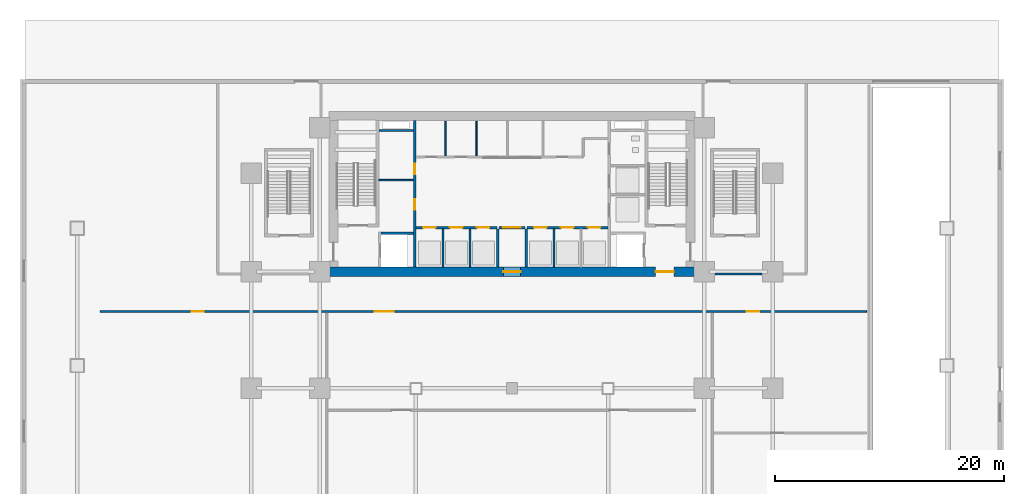
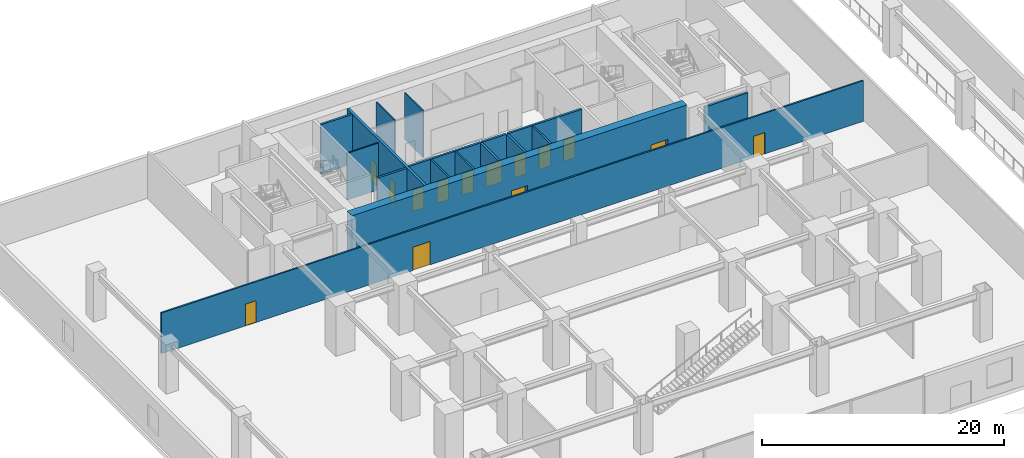
# One storey, part 9 of 18: 17 walls, 14 doors, 14 openings.
"""IFC4 building model written with IfcOpenShell, lengths in metres."""

from ifc_helpers import new_model, si_unit, direction, frame, frame_2d, origin, place, context, subcontext, project, spatial, rectangle, extrude, source, transform, mapped, material, layer, layer_set, type_object, element, fill, save


model = new_model("IFC4")

# Units and contexts
model_context = context("Model", 3, precision=1e-05, world=origin(), true_north=direction((0.0, 1.0)))
body_context = subcontext(model_context, "Body", "Model", "MODEL_VIEW")
ifc_project = project(units=[si_unit("LENGTHUNIT", "METRE"), si_unit("AREAUNIT", "SQUARE_METRE"), si_unit("VOLUMEUNIT", "CUBIC_METRE"), si_unit("PLANEANGLEUNIT", "RADIAN"), si_unit("MASSUNIT", "GRAM", prefix="KILO")], contexts=[model_context])

# Site, building, storey
site_placement = place(None, origin())
site = spatial("IfcSite", under=ifc_project, at=site_placement, CompositionType="ELEMENT")
building_placement = place(site_placement, origin())
building = spatial("IfcBuilding", under=site, at=building_placement, Name="Sumidabori Civic Tower", CompositionType="ELEMENT")
storey_placement = place(building_placement, origin())
storey = spatial("IfcBuildingStorey", under=building, at=storey_placement, Name="L00", CompositionType="ELEMENT", Elevation=0.0)

# Wall, openings, doors
ifc_material_1 = material(Name="Concrete C60/75", Category="concrete")
ifc_layer_1 = layer(ifc_material_1, 0.800048828125, Name="Concrete C60/75")
ifc_layer_set_1 = layer_set([ifc_layer_1], Name="Concrete C60/75")
wall_type_1 = type_object("IfcWallType", Name="WL-CORE-800", PredefinedType="SHEAR", material=ifc_layer_set_1)
shared_shape_1 = source(origin(), body_context, "Body", "SweptSolid", [
    extrude(rectangle(XDim=32.0, YDim=0.800048828125, at=frame_2d((16.0, 0.0))), origin(), (0.0, 0.0, 1.0), 5.0),
])
wall_1_placement = place(storey_placement, frame((-16.0, 10.199951171875, 0.0), z_axis=(0.0, 0.0, 1.0), x_axis=(1.0, 0.0, 0.0)))
wall_1 = element("IfcWall", 1, at=wall_1_placement, inside=storey, type_object=wall_type_1, Name="Core Shear Wall L00 S", PredefinedType="SHEAR", context=body_context, shape_type="MappedRepresentation", body=[
    mapped(shared_shape_1, transform((0.0, 0.0, 0.0), x_axis=(1.0, 0.0, 0.0), y_axis=(0.0, 1.0, 0.0), z_axis=(0.0, 0.0, 1.0), scale=1.0)),
])
opening_1_placement = place(wall_1_placement, frame((28.550048828125, 0.0, 0.0)))
opening_1 = element("IfcOpeningElement", 2, at=opening_1_placement, cuts=wall_1, Name="Opening DR-FD4", PredefinedType="OPENING", context=body_context, shape_type="SweptSolid", body=[
    extrude(rectangle(XDim=1.60009765625, YDim=2.14990234375, at=frame_2d((0.800048828125, 1.074951171875))), frame((0.0, 0.412109375, 0.0), z_axis=(0.0, -1.0, 0.0), x_axis=(1.0, 0.0, 0.0)), (0.0, 0.0, 1.0), 0.823974609375),
])
opening_2_placement = place(wall_1_placement, frame((15.25, 0.0, 0.0)))
opening_2 = element("IfcOpeningElement", 3, at=opening_2_placement, cuts=wall_1, Name="Opening DR-FD3", PredefinedType="OPENING", context=body_context, shape_type="SweptSolid", body=[
    extrude(rectangle(XDim=1.5, YDim=2.199951171875, at=frame_2d((0.75, 1.10009765625))), frame((0.0, 0.412109375, 0.0), z_axis=(0.0, -1.0, 0.0), x_axis=(1.0, 0.0, 0.0)), (0.0, 0.0, 1.0), 0.823974609375),
])
ifc_material_2 = material(Name="Steel SN490", Category="steel")
door_type_1 = type_object("IfcDoorType", Name="DR-FD4", OperationType="DOUBLE_DOOR_SINGLE_SWING", PredefinedType="DOOR", material=ifc_material_2)
shared_shape_2 = source(origin(), body_context, "Body", "SweptSolid", [
    extrude(rectangle(XDim=1.60009765625, YDim=2.14990234375, at=frame_2d((0.800048828125, 1.074951171875))), frame((0.0, 0.02490234375, 0.0), z_axis=(0.0, -1.0, 0.0), x_axis=(1.0, 0.0, 0.0)), (0.0, 0.0, 1.0), 0.050048828125),
])
door_1_placement = place(opening_1_placement, origin())
door_1 = element("IfcDoor", 4, at=door_1_placement, inside=storey, type_object=door_type_1, Name="Door DR:L00:ELOB-E", OperationType="DOUBLE_DOOR_SINGLE_SWING", OverallHeight=2.14990234375, OverallWidth=1.60009765625, PredefinedType="DOOR", context=body_context, shape_type="MappedRepresentation", body=[
    mapped(shared_shape_2, transform((0.0, 0.0, 0.0), x_axis=(1.0, 0.0, 0.0), y_axis=(0.0, 1.0, 0.0), z_axis=(0.0, 0.0, 1.0), scale=1.0)),
])
fill(opening_1, door_1)
door_type_2 = type_object("IfcDoorType", Name="DR-FD-DBL", OperationType="DOUBLE_DOOR_SINGLE_SWING", PredefinedType="DOOR", material=ifc_material_2)
shared_shape_3 = source(origin(), body_context, "Body", "SweptSolid", [
    extrude(rectangle(XDim=1.5, YDim=2.199951171875, at=frame_2d((0.75, 1.10009765625))), frame((0.0, 0.02490234375, 0.0), z_axis=(0.0, -1.0, 0.0), x_axis=(1.0, 0.0, 0.0)), (0.0, 0.0, 1.0), 0.050048828125),
])
door_2_placement = place(opening_2_placement, origin())
door_2 = element("IfcDoor", 5, at=door_2_placement, inside=storey, type_object=door_type_2, Name="Door DR:L00:THROAT-OUT", OperationType="DOUBLE_DOOR_SINGLE_SWING", OverallHeight=2.199951171875, OverallWidth=1.5, PredefinedType="DOOR", context=body_context, shape_type="MappedRepresentation", body=[
    mapped(shared_shape_3, transform((0.0, 0.0, 0.0), x_axis=(1.0, 0.0, 0.0), y_axis=(0.0, 1.0, 0.0), z_axis=(0.0, 0.0, 1.0), scale=1.0)),
])
fill(opening_2, door_2)

ifc_material_3 = material(Name="Concrete C50/60", Category="concrete")
ifc_layer_2 = layer(ifc_material_3, 0.25, Name="Concrete C50/60")
ifc_layer_set_2 = layer_set([ifc_layer_2], Name="Concrete C50/60")
wall_type_2 = type_object("IfcWallType", Name="WL-SHAFT-250", PredefinedType="SHEAR", material=ifc_layer_set_2)
shared_shape_4 = source(origin(), body_context, "Body", "SweptSolid", [
    extrude(rectangle(XDim=12.7998046875, YDim=0.25, at=frame_2d((6.39990234375, 0.0))), origin(), (0.0, 0.0, 1.0), 5.0),
])
wall_2_placement = place(storey_placement, frame((-8.5, 10.60009765625, 0.0), z_axis=(0.0, 0.0, 1.0), x_axis=(0.0, 1.0, 0.0)))
wall_2 = element("IfcWall", 6, at=wall_2_placement, inside=storey, type_object=wall_type_2, Name="Core Shear Wall L00 WEB-W", PredefinedType="SHEAR", context=body_context, shape_type="MappedRepresentation", body=[
    mapped(shared_shape_4, transform((0.0, 0.0, 0.0), x_axis=(1.0, 0.0, 0.0), y_axis=(0.0, 1.0, 0.0), z_axis=(0.0, 0.0, 1.0), scale=1.0)),
])
opening_3_placement = place(wall_2_placement, frame((5.0, 0.0, 0.0)))
opening_3 = element("IfcOpeningElement", 7, at=opening_3_placement, cuts=wall_2, Name="Opening DR-FD2", PredefinedType="OPENING", context=body_context, shape_type="SweptSolid", body=[
    extrude(rectangle(XDim=0.949951171875, YDim=2.14990234375, at=frame_2d((0.47509765625, 1.074951171875))), frame((0.0, 0.136962890625, 0.0), z_axis=(0.0, -1.0, 0.0), x_axis=(1.0, 0.0, 0.0)), (0.0, 0.0, 1.0), 0.27392578125),
])
opening_4_placement = place(wall_2_placement, frame((8.10009765625, 0.0, 0.0)))
opening_4 = element("IfcOpeningElement", 8, at=opening_4_placement, cuts=wall_2, Name="Opening DR-FD2", PredefinedType="OPENING", context=body_context, shape_type="SweptSolid", body=[
    extrude(rectangle(XDim=0.949951171875, YDim=2.14990234375, at=frame_2d((0.47509765625, 1.074951171875))), frame((0.0, 0.136962890625, 0.0), z_axis=(0.0, -1.0, 0.0), x_axis=(1.0, 0.0, 0.0)), (0.0, 0.0, 1.0), 0.27392578125),
])
door_type_3 = type_object("IfcDoorType", Name="DR-FD2", OperationType="NOTDEFINED", PredefinedType="DOOR", material=ifc_material_2)
shared_shape_5 = source(origin(), body_context, "Body", "SweptSolid", [
    extrude(rectangle(XDim=0.949951171875, YDim=2.14990234375, at=frame_2d((0.47509765625, 1.074951171875))), frame((0.0, 0.02490234375, 0.0), z_axis=(0.0, -1.0, 0.0), x_axis=(1.0, 0.0, 0.0)), (0.0, 0.0, 1.0), 0.050048828125),
])
door_3_placement = place(opening_3_placement, origin())
door_3 = element("IfcDoor", 9, at=door_3_placement, inside=storey, type_object=door_type_3, Name="Door DR:L00:CW-S1", OperationType="SINGLE_SWING_LEFT", OverallHeight=2.14990234375, OverallWidth=0.949951171875, PredefinedType="DOOR", context=body_context, shape_type="MappedRepresentation", body=[
    mapped(shared_shape_5, transform((0.0, 0.0, 0.0), x_axis=(1.0, 0.0, 0.0), y_axis=(0.0, 1.0, 0.0), z_axis=(0.0, 0.0, 1.0), scale=1.0)),
])
fill(opening_3, door_3)
door_4_placement = place(opening_4_placement, origin())
door_4 = element("IfcDoor", 10, at=door_4_placement, inside=storey, type_object=door_type_3, Name="Door DR:L00:CW-S2", OperationType="SINGLE_SWING_RIGHT", OverallHeight=2.14990234375, OverallWidth=0.949951171875, PredefinedType="DOOR", context=body_context, shape_type="MappedRepresentation", body=[
    mapped(shared_shape_5, transform((0.0, 0.0, 0.0), x_axis=(1.0, 0.0, 0.0), y_axis=(0.0, 1.0, 0.0), z_axis=(0.0, 0.0, 1.0), scale=1.0)),
])
fill(opening_4, door_4)

# Walls
ifc_layer_3 = layer(ifc_material_3, 0.199951171875, Name="Concrete C50/60")
ifc_layer_set_3 = layer_set([ifc_layer_3], Name="Concrete C50/60")
wall_type_3 = type_object("IfcWallType", Name="WL-SHAFT-200", PredefinedType="SHEAR", material=ifc_layer_set_3)
shared_shape_6 = source(origin(), body_context, "Body", "SweptSolid", [
    extrude(rectangle(XDim=2.824951171875, YDim=0.199951171875, at=frame_2d((1.41259765625, 0.0))), origin(), (0.0, 0.0, 1.0), 5.0),
])
wall_3_placement = place(storey_placement, frame((-11.449951171875, 13.550048828125, 0.0), z_axis=(0.0, 0.0, 1.0), x_axis=(1.0, 0.0, 0.0)))
element("IfcWall", 11, at=wall_3_placement, inside=storey, type_object=wall_type_3, Name="Core Shear Wall L00 EL1-N", PredefinedType="SHEAR", context=body_context, shape_type="MappedRepresentation", body=[
    mapped(shared_shape_6, transform((0.0, 0.0, 0.0), x_axis=(1.0, 0.0, 0.0), y_axis=(0.0, 1.0, 0.0), z_axis=(0.0, 0.0, 1.0), scale=1.0)),
])
shared_shape_7 = source(origin(), body_context, "Body", "SweptSolid", [
    extrude(rectangle(XDim=3.02001953125, YDim=0.199951171875, at=frame_2d((1.510009765625, 0.0))), origin(), (0.0, 0.0, 1.0), 5.0),
])
wall_4_placement = place(storey_placement, frame((-11.64501953125, 22.550048828125, 0.0), z_axis=(0.0, 0.0, 1.0), x_axis=(1.0, 0.0, 0.0)))
element("IfcWall", 12, at=wall_4_placement, inside=storey, type_object=wall_type_3, Name="Core Shear Wall L00 RIS1-S", PredefinedType="SHEAR", context=body_context, shape_type="MappedRepresentation", body=[
    mapped(shared_shape_7, transform((0.0, 0.0, 0.0), x_axis=(1.0, 0.0, 0.0), y_axis=(0.0, 1.0, 0.0), z_axis=(0.0, 0.0, 1.0), scale=1.0)),
])
ifc_material_4 = material(Name="Gypsum Plasterboard Acoustic Partition")
ifc_layer_4 = layer(ifc_material_4, 0.1201171875, Name="Gypsum Plasterboard Acoustic Partition")
ifc_layer_set_4 = layer_set([ifc_layer_4], Name="Gypsum Plasterboard Acoustic Partition")
wall_type_4 = type_object("IfcWallType", Name="WL-PART-120", PredefinedType="PARTITIONING", material=ifc_layer_set_4)
shared_shape_8 = source(origin(), body_context, "Body", "SweptSolid", [
    extrude(rectangle(XDim=3.010009765625, YDim=0.1201171875, at=frame_2d((1.5048828125, 0.0))), origin(), (0.0, 0.0, 1.0), 4.719970703125),
])
wall_5_placement = place(storey_placement, frame((-11.639892578125, 18.199951171875, 0.0), z_axis=(0.0, 0.0, 1.0), x_axis=(1.0, 0.0, 0.0)))
element("IfcWall", 13, at=wall_5_placement, inside=storey, type_object=wall_type_4, Name="Interior Partition WL:L00:CW-MID", PredefinedType="PARTITIONING", context=body_context, shape_type="MappedRepresentation", body=[
    mapped(shared_shape_8, transform((0.0, 0.0, 0.0), x_axis=(1.0, 0.0, 0.0), y_axis=(0.0, 1.0, 0.0), z_axis=(0.0, 0.0, 1.0), scale=1.0)),
])

# Wall, openings, doors
ifc_material_5 = material(Name="Gypsum Plasterboard Fire Partition")
ifc_layer_5 = layer(ifc_material_5, 0.199951171875, Name="Gypsum Plasterboard Fire Partition")
ifc_layer_set_5 = layer_set([ifc_layer_5], Name="Gypsum Plasterboard Fire Partition")
wall_type_5 = type_object("IfcWallType", Name="WL-PART-FIRE", PredefinedType="PARTITIONING", material=ifc_layer_set_5)
shared_shape_9 = source(origin(), body_context, "Body", "SweptSolid", [
    extrude(rectangle(XDim=7.070068359375, YDim=0.199951171875, at=frame_2d((3.53515625, 0.0))), origin(), (0.0, 0.0, 1.0), 4.719970703125),
])
wall_6_placement = place(storey_placement, frame((-8.3701171875, 14.050048828125, 0.0), z_axis=(0.0, 0.0, 1.0), x_axis=(1.0, 0.0, 0.0)))
wall_6 = element("IfcWall", 14, at=wall_6_placement, inside=storey, type_object=wall_type_5, Name="Interior Partition WL:L00:CBAND-SW", PredefinedType="PARTITIONING", context=body_context, shape_type="MappedRepresentation", body=[
    mapped(shared_shape_9, transform((0.0, 0.0, 0.0), x_axis=(1.0, 0.0, 0.0), y_axis=(0.0, 1.0, 0.0), z_axis=(0.0, 0.0, 1.0), scale=1.0)),
])
opening_5_placement = place(wall_6_placement, frame((0.60009765625, 0.0, 0.0)))
opening_5 = element("IfcOpeningElement", 15, at=opening_5_placement, cuts=wall_6, Name="Opening LD-1", PredefinedType="OPENING", context=body_context, shape_type="SweptSolid", body=[
    extrude(rectangle(XDim=1.10009765625, YDim=2.14990234375, at=frame_2d((0.550048828125, 1.074951171875))), frame((0.0, 0.11181640625, 0.0), z_axis=(0.0, -1.0, 0.0), x_axis=(1.0, 0.0, 0.0)), (0.0, 0.0, 1.0), 0.223876953125),
])
opening_6_placement = place(wall_6_placement, frame((2.949951171875, 0.0, 0.0)))
opening_6 = element("IfcOpeningElement", 16, at=opening_6_placement, cuts=wall_6, Name="Opening LD-1", PredefinedType="OPENING", context=body_context, shape_type="SweptSolid", body=[
    extrude(rectangle(XDim=1.10009765625, YDim=2.14990234375, at=frame_2d((0.550048828125, 1.074951171875))), frame((0.0, 0.11181640625, 0.0), z_axis=(0.0, -1.0, 0.0), x_axis=(1.0, 0.0, 0.0)), (0.0, 0.0, 1.0), 0.223876953125),
])
opening_7_placement = place(wall_6_placement, frame((5.300048828125, 0.0, 0.0)))
opening_7 = element("IfcOpeningElement", 17, at=opening_7_placement, cuts=wall_6, Name="Opening LD-1", PredefinedType="OPENING", context=body_context, shape_type="SweptSolid", body=[
    extrude(rectangle(XDim=1.10009765625, YDim=2.14990234375, at=frame_2d((0.550048828125, 1.074951171875))), frame((0.0, 0.11181640625, 0.0), z_axis=(0.0, -1.0, 0.0), x_axis=(1.0, 0.0, 0.0)), (0.0, 0.0, 1.0), 0.223876953125),
])
ifc_material_6 = material(Name="Stainless Steel Hairline Finish", Category="steel")
door_type_4 = type_object("IfcDoorType", Name="DR-LD1", OperationType="DOUBLE_DOOR_SLIDING", PredefinedType="DOOR", material=ifc_material_6)
shared_shape_10 = source(origin(), body_context, "Body", "SweptSolid", [
    extrude(rectangle(XDim=1.10009765625, YDim=2.14990234375, at=frame_2d((0.550048828125, 1.074951171875))), frame((0.0, 0.02490234375, 0.0), z_axis=(0.0, -1.0, 0.0), x_axis=(1.0, 0.0, 0.0)), (0.0, 0.0, 1.0), 0.050048828125),
])
door_5_placement = place(opening_5_placement, origin())
door_5 = element("IfcDoor", 18, at=door_5_placement, inside=storey, type_object=door_type_4, Name="Door DR:L00:LD-PLL1", OperationType="DOUBLE_DOOR_SLIDING", OverallHeight=2.14990234375, OverallWidth=1.10009765625, PredefinedType="DOOR", context=body_context, shape_type="MappedRepresentation", body=[
    mapped(shared_shape_10, transform((0.0, 0.0, 0.0), x_axis=(1.0, 0.0, 0.0), y_axis=(0.0, 1.0, 0.0), z_axis=(0.0, 0.0, 1.0), scale=1.0)),
])
fill(opening_5, door_5)
door_6_placement = place(opening_6_placement, origin())
door_6 = element("IfcDoor", 19, at=door_6_placement, inside=storey, type_object=door_type_4, Name="Door DR:L00:LD-PLL2", OperationType="DOUBLE_DOOR_SLIDING", OverallHeight=2.14990234375, OverallWidth=1.10009765625, PredefinedType="DOOR", context=body_context, shape_type="MappedRepresentation", body=[
    mapped(shared_shape_10, transform((0.0, 0.0, 0.0), x_axis=(1.0, 0.0, 0.0), y_axis=(0.0, 1.0, 0.0), z_axis=(0.0, 0.0, 1.0), scale=1.0)),
])
fill(opening_6, door_6)
door_7_placement = place(opening_7_placement, origin())
door_7 = element("IfcDoor", 20, at=door_7_placement, inside=storey, type_object=door_type_4, Name="Door DR:L00:LD-PLL3", OperationType="DOUBLE_DOOR_SLIDING", OverallHeight=2.14990234375, OverallWidth=1.10009765625, PredefinedType="DOOR", context=body_context, shape_type="MappedRepresentation", body=[
    mapped(shared_shape_10, transform((0.0, 0.0, 0.0), x_axis=(1.0, 0.0, 0.0), y_axis=(0.0, 1.0, 0.0), z_axis=(0.0, 0.0, 1.0), scale=1.0)),
])
fill(opening_7, door_7)

wall_7_placement = place(storey_placement, frame((1.300048828125, 14.050048828125, 0.0), z_axis=(0.0, 0.0, 1.0), x_axis=(1.0, 0.0, 0.0)))
wall_7 = element("IfcWall", 21, at=wall_7_placement, inside=storey, type_object=wall_type_5, Name="Interior Partition WL:L00:CBAND-SE", PredefinedType="PARTITIONING", context=body_context, shape_type="MappedRepresentation", body=[
    mapped(shared_shape_9, transform((0.0, 0.0, 0.0), x_axis=(1.0, 0.0, 0.0), y_axis=(0.0, 1.0, 0.0), z_axis=(0.0, 0.0, 1.0), scale=1.0)),
])
opening_8_placement = place(wall_7_placement, frame((0.6298828125, 0.0, 0.0)))
opening_8 = element("IfcOpeningElement", 22, at=opening_8_placement, cuts=wall_7, Name="Opening LD-1", PredefinedType="OPENING", context=body_context, shape_type="SweptSolid", body=[
    extrude(rectangle(XDim=1.10009765625, YDim=2.14990234375, at=frame_2d((0.550048828125, 1.074951171875))), frame((0.0, 0.11181640625, 0.0), z_axis=(0.0, -1.0, 0.0), x_axis=(1.0, 0.0, 0.0)), (0.0, 0.0, 1.0), 0.223876953125),
])
opening_9_placement = place(wall_7_placement, frame((2.97998046875, 0.0, 0.0)))
opening_9 = element("IfcOpeningElement", 23, at=opening_9_placement, cuts=wall_7, Name="Opening LD-1", PredefinedType="OPENING", context=body_context, shape_type="SweptSolid", body=[
    extrude(rectangle(XDim=1.10009765625, YDim=2.14990234375, at=frame_2d((0.550048828125, 1.074951171875))), frame((0.0, 0.11181640625, 0.0), z_axis=(0.0, -1.0, 0.0), x_axis=(1.0, 0.0, 0.0)), (0.0, 0.0, 1.0), 0.223876953125),
])
opening_10_placement = place(wall_7_placement, frame((5.330078125, 0.0, 0.0)))
opening_10 = element("IfcOpeningElement", 24, at=opening_10_placement, cuts=wall_7, Name="Opening LD-1", PredefinedType="OPENING", context=body_context, shape_type="SweptSolid", body=[
    extrude(rectangle(XDim=1.10009765625, YDim=2.14990234375, at=frame_2d((0.550048828125, 1.074951171875))), frame((0.0, 0.11181640625, 0.0), z_axis=(0.0, -1.0, 0.0), x_axis=(1.0, 0.0, 0.0)), (0.0, 0.0, 1.0), 0.223876953125),
])
door_8_placement = place(opening_8_placement, origin())
door_8 = element("IfcDoor", 25, at=door_8_placement, inside=storey, type_object=door_type_4, Name="Door DR:L00:LD-PLM1", OperationType="DOUBLE_DOOR_SLIDING", OverallHeight=2.14990234375, OverallWidth=1.10009765625, PredefinedType="DOOR", context=body_context, shape_type="MappedRepresentation", body=[
    mapped(shared_shape_10, transform((0.0, 0.0, 0.0), x_axis=(1.0, 0.0, 0.0), y_axis=(0.0, 1.0, 0.0), z_axis=(0.0, 0.0, 1.0), scale=1.0)),
])
fill(opening_8, door_8)
door_9_placement = place(opening_9_placement, origin())
door_9 = element("IfcDoor", 26, at=door_9_placement, inside=storey, type_object=door_type_4, Name="Door DR:L00:LD-PLM2", OperationType="DOUBLE_DOOR_SLIDING", OverallHeight=2.14990234375, OverallWidth=1.10009765625, PredefinedType="DOOR", context=body_context, shape_type="MappedRepresentation", body=[
    mapped(shared_shape_10, transform((0.0, 0.0, 0.0), x_axis=(1.0, 0.0, 0.0), y_axis=(0.0, 1.0, 0.0), z_axis=(0.0, 0.0, 1.0), scale=1.0)),
])
fill(opening_9, door_9)
door_10_placement = place(opening_10_placement, origin())
door_10 = element("IfcDoor", 27, at=door_10_placement, inside=storey, type_object=door_type_4, Name="Door DR:L00:LD-PLM3", OperationType="DOUBLE_DOOR_SLIDING", OverallHeight=2.14990234375, OverallWidth=1.10009765625, PredefinedType="DOOR", context=body_context, shape_type="MappedRepresentation", body=[
    mapped(shared_shape_10, transform((0.0, 0.0, 0.0), x_axis=(1.0, 0.0, 0.0), y_axis=(0.0, 1.0, 0.0), z_axis=(0.0, 0.0, 1.0), scale=1.0)),
])
fill(opening_10, door_10)

# Walls
shared_shape_11 = source(origin(), body_context, "Body", "SweptSolid", [
    extrude(rectangle(XDim=3.33984375, YDim=0.199951171875, at=frame_2d((1.669921875, 0.0))), origin(), (0.0, 0.0, 1.0), 4.719970703125),
])
for number, where, z_axis, x_axis, name in (
    (28, (-1.25, 10.60009765625, 0.0), (0.0, 0.0, 1.0), (0.0, 1.0, 0.0), "Interior Partition WL:L00:THROAT-W"),
    (29, (1.25, 10.60009765625, 0.0), (0.0, 0.0, 1.0), (0.0, 1.0, 0.0), "Interior Partition WL:L00:THROAT-E"),
):
    element("IfcWall", number, at=place(storey_placement, frame(where, z_axis=z_axis, x_axis=x_axis)), inside=storey, type_object=wall_type_5, Name=name, PredefinedType="PARTITIONING", context=body_context, shape_type="MappedRepresentation", body=[
        mapped(shared_shape_11, transform((0.0, 0.0, 0.0), x_axis=(1.0, 0.0, 0.0), y_axis=(0.0, 1.0, 0.0), z_axis=(0.0, 0.0, 1.0), scale=1.0)),
    ])

# Wall, opening, door
shared_shape_12 = source(origin(), body_context, "Body", "SweptSolid", [
    extrude(rectangle(XDim=2.2998046875, YDim=0.199951171875, at=frame_2d((1.14990234375, 0.0))), origin(), (0.0, 0.0, 1.0), 4.719970703125),
])
wall_8_placement = place(storey_placement, frame((-1.14990234375, 14.050048828125, 0.0), z_axis=(0.0, 0.0, 1.0), x_axis=(1.0, 0.0, 0.0)))
wall_8 = element("IfcWall", 30, at=wall_8_placement, inside=storey, type_object=wall_type_5, Name="Interior Partition WL:L00:THROAT-N", PredefinedType="PARTITIONING", context=body_context, shape_type="MappedRepresentation", body=[
    mapped(shared_shape_12, transform((0.0, 0.0, 0.0), x_axis=(1.0, 0.0, 0.0), y_axis=(0.0, 1.0, 0.0), z_axis=(0.0, 0.0, 1.0), scale=1.0)),
])
opening_11_placement = place(wall_8_placement, frame((0.39990234375, 0.0, 0.0)))
opening_11 = element("IfcOpeningElement", 31, at=opening_11_placement, cuts=wall_8, Name="Opening DR-FD3", PredefinedType="OPENING", context=body_context, shape_type="SweptSolid", body=[
    extrude(rectangle(XDim=1.5, YDim=2.199951171875, at=frame_2d((0.75, 1.10009765625))), frame((0.0, 0.11181640625, 0.0), z_axis=(0.0, -1.0, 0.0), x_axis=(1.0, 0.0, 0.0)), (0.0, 0.0, 1.0), 0.223876953125),
])
door_11_placement = place(opening_11_placement, origin())
door_11 = element("IfcDoor", 32, at=door_11_placement, inside=storey, type_object=door_type_2, Name="Door DR:L00:THROAT-IN", OperationType="DOUBLE_DOOR_SINGLE_SWING", OverallHeight=2.199951171875, OverallWidth=1.5, PredefinedType="DOOR", context=body_context, shape_type="MappedRepresentation", body=[
    mapped(shared_shape_3, transform((0.0, 0.0, 0.0), x_axis=(1.0, 0.0, 0.0), y_axis=(0.0, 1.0, 0.0), z_axis=(0.0, 0.0, 1.0), scale=1.0)),
])
fill(opening_11, door_11)

# Walls
ifc_layer_6 = layer(ifc_material_4, 0.14990234375, Name="Gypsum Plasterboard Acoustic Partition")
ifc_layer_set_6 = layer_set([ifc_layer_6], Name="Gypsum Plasterboard Acoustic Partition")
wall_type_6 = type_object("IfcWallType", Name="WL-PART-150", PredefinedType="PARTITIONING", material=ifc_layer_set_6)
shared_shape_13 = source(origin(), body_context, "Body", "SweptSolid", [
    extrude(rectangle(XDim=3.33984375, YDim=0.14990234375, at=frame_2d((1.669921875, 0.0))), origin(), (0.0, 0.0, 1.0), 4.719970703125),
])
for number, where, z_axis, x_axis, name in (
    (33, (-6.030029296875, 10.60009765625, 0.0), (0.0, 0.0, 1.0), (0.0, 1.0, 0.0), "Interior Partition WL:L00:DIV-PLL1"),
    (34, (-3.679931640625, 10.60009765625, 0.0), (0.0, 0.0, 1.0), (0.0, 1.0, 0.0), "Interior Partition WL:L00:DIV-PLL2"),
    (35, (3.669921875, 10.60009765625, 0.0), (0.0, 0.0, 1.0), (0.0, 1.0, 0.0), "Interior Partition WL:L00:DIV-PLM1"),
):
    element("IfcWall", number, at=place(storey_placement, frame(where, z_axis=z_axis, x_axis=x_axis)), inside=storey, type_object=wall_type_6, Name=name, PredefinedType="PARTITIONING", context=body_context, shape_type="MappedRepresentation", body=[
        mapped(shared_shape_13, transform((0.0, 0.0, 0.0), x_axis=(1.0, 0.0, 0.0), y_axis=(0.0, 1.0, 0.0), z_axis=(0.0, 0.0, 1.0), scale=1.0)),
    ])
shared_shape_14 = source(origin(), body_context, "Body", "SweptSolid", [
    extrude(rectangle(XDim=3.0400390625, YDim=0.1201171875, at=frame_2d((1.52001953125, 0.0))), origin(), (0.0, 0.0, 1.0), 4.719970703125),
])
for number, where, z_axis, x_axis, name in (
    (36, (-5.800048828125, 20.320068359375, 0.0), (0.0, 0.0, 1.0), (0.0, 1.0, 0.0), "Interior Partition WL:L00:LV8-S1"),
    (37, (-3.10009765625, 20.320068359375, 0.0), (0.0, 0.0, 1.0), (0.0, 1.0, 0.0), "Interior Partition WL:L00:LV8-S2"),
):
    element("IfcWall", number, at=place(storey_placement, frame(where, z_axis=z_axis, x_axis=x_axis)), inside=storey, type_object=wall_type_4, Name=name, PredefinedType="PARTITIONING", context=body_context, shape_type="MappedRepresentation", body=[
        mapped(shared_shape_14, transform((0.0, 0.0, 0.0), x_axis=(1.0, 0.0, 0.0), y_axis=(0.0, 1.0, 0.0), z_axis=(0.0, 0.0, 1.0), scale=1.0)),
    ])

# Wall, openings, doors
shared_shape_15 = source(origin(), body_context, "Body", "SweptSolid", [
    extrude(rectangle(XDim=67.0, YDim=0.14990234375, at=frame_2d((33.5, 0.0))), origin(), (0.0, 0.0, 1.0), 4.10498046875),
])
wall_9_placement = place(storey_placement, frame((-36.0, 6.719970703125, 0.0), z_axis=(0.0, 0.0, 1.0), x_axis=(1.0, 0.0, 0.0)))
wall_9 = element("IfcWall", 38, at=wall_9_placement, inside=storey, type_object=wall_type_6, Name="Interior Partition WL:L00:CONC-S", PredefinedType="PARTITIONING", context=body_context, shape_type="MappedRepresentation", body=[
    mapped(shared_shape_15, transform((0.0, 0.0, 0.0), x_axis=(1.0, 0.0, 0.0), y_axis=(0.0, 1.0, 0.0), z_axis=(0.0, 0.0, 1.0), scale=1.0)),
])
opening_12_placement = place(wall_9_placement, frame((24.0, 0.0, 0.0)))
opening_12 = element("IfcOpeningElement", 39, at=opening_12_placement, cuts=wall_9, Name="Opening DR-6", PredefinedType="OPENING", context=body_context, shape_type="SweptSolid", body=[
    extrude(rectangle(XDim=1.64990234375, YDim=2.35009765625, at=frame_2d((0.824951171875, 1.175048828125))), frame((0.0, 0.0869140625, 0.0), z_axis=(0.0, -1.0, 0.0), x_axis=(1.0, 0.0, 0.0)), (0.0, 0.0, 1.0), 0.173828125),
])
opening_13_placement = place(wall_9_placement, frame((8.0, 0.0, 0.0)))
opening_13 = element("IfcOpeningElement", 40, at=opening_13_placement, cuts=wall_9, Name="Opening DR-4", PredefinedType="OPENING", context=body_context, shape_type="SweptSolid", body=[
    extrude(rectangle(XDim=1.0400390625, YDim=2.199951171875, at=frame_2d((0.52001953125, 1.10009765625))), frame((0.0, 0.0869140625, 0.0), z_axis=(0.0, -1.0, 0.0), x_axis=(1.0, 0.0, 0.0)), (0.0, 0.0, 1.0), 0.173828125),
])
opening_14_placement = place(wall_9_placement, frame((56.5, 0.0, 0.0)))
opening_14 = element("IfcOpeningElement", 41, at=opening_14_placement, cuts=wall_9, Name="Opening DR-FD1", PredefinedType="OPENING", context=body_context, shape_type="SweptSolid", body=[
    extrude(rectangle(XDim=1.10009765625, YDim=2.14990234375, at=frame_2d((0.550048828125, 1.074951171875))), frame((0.0, 0.0869140625, 0.0), z_axis=(0.0, -1.0, 0.0), x_axis=(1.0, 0.0, 0.0)), (0.0, 0.0, 1.0), 0.173828125),
])
ifc_material_7 = material(Name="Anodised Bronze Aluminium AW-6063-T6", Category="aluminium")
door_type_5 = type_object("IfcDoorType", Name="DR-DBL-1650", OperationType="DOUBLE_DOOR_SINGLE_SWING", PredefinedType="DOOR", material=ifc_material_7)
shared_shape_16 = source(origin(), body_context, "Body", "SweptSolid", [
    extrude(rectangle(XDim=1.64990234375, YDim=2.35009765625, at=frame_2d((0.824951171875, 1.175048828125))), frame((0.0, 0.02490234375, 0.0), z_axis=(0.0, -1.0, 0.0), x_axis=(1.0, 0.0, 0.0)), (0.0, 0.0, 1.0), 0.050048828125),
])
door_12_placement = place(opening_12_placement, origin())
door_12 = element("IfcDoor", 42, at=door_12_placement, inside=storey, type_object=door_type_5, Name="Door DR:L00:FOY1", OperationType="DOUBLE_DOOR_SINGLE_SWING", OverallHeight=2.35009765625, OverallWidth=1.64990234375, PredefinedType="DOOR", context=body_context, shape_type="MappedRepresentation", body=[
    mapped(shared_shape_16, transform((0.0, 0.0, 0.0), x_axis=(1.0, 0.0, 0.0), y_axis=(0.0, 1.0, 0.0), z_axis=(0.0, 0.0, 1.0), scale=1.0)),
])
fill(opening_12, door_12)
ifc_material_8 = material(Name="Japanese Hinoki Timber", Category="wood")
door_type_6 = type_object("IfcDoorType", Name="DR-INT-1040", OperationType="NOTDEFINED", PredefinedType="DOOR", material=ifc_material_8)
shared_shape_17 = source(origin(), body_context, "Body", "SweptSolid", [
    extrude(rectangle(XDim=1.0400390625, YDim=2.199951171875, at=frame_2d((0.52001953125, 1.10009765625))), frame((0.0, 0.02490234375, 0.0), z_axis=(0.0, -1.0, 0.0), x_axis=(1.0, 0.0, 0.0)), (0.0, 0.0, 1.0), 0.050048828125),
])
door_13_placement = place(opening_13_placement, origin())
door_13 = element("IfcDoor", 43, at=door_13_placement, inside=storey, type_object=door_type_6, Name="Door DR:L00:SEC1", OperationType="SINGLE_SWING_LEFT", OverallHeight=2.199951171875, OverallWidth=1.0400390625, PredefinedType="DOOR", context=body_context, shape_type="MappedRepresentation", body=[
    mapped(shared_shape_17, transform((0.0, 0.0, 0.0), x_axis=(1.0, 0.0, 0.0), y_axis=(0.0, 1.0, 0.0), z_axis=(0.0, 0.0, 1.0), scale=1.0)),
])
fill(opening_13, door_13)
door_type_7 = type_object("IfcDoorType", Name="DR-FD1", OperationType="NOTDEFINED", PredefinedType="DOOR", material=ifc_material_2)
shared_shape_18 = source(origin(), body_context, "Body", "SweptSolid", [
    extrude(rectangle(XDim=1.10009765625, YDim=2.14990234375, at=frame_2d((0.550048828125, 1.074951171875))), frame((0.0, 0.02490234375, 0.0), z_axis=(0.0, -1.0, 0.0), x_axis=(1.0, 0.0, 0.0)), (0.0, 0.0, 1.0), 0.050048828125),
])
door_14_placement = place(opening_14_placement, origin())
door_14 = element("IfcDoor", 44, at=door_14_placement, inside=storey, type_object=door_type_7, Name="Door DR:L00:FCC1", OperationType="SINGLE_SWING_RIGHT", OverallHeight=2.14990234375, OverallWidth=1.10009765625, PredefinedType="DOOR", context=body_context, shape_type="MappedRepresentation", body=[
    mapped(shared_shape_18, transform((0.0, 0.0, 0.0), x_axis=(1.0, 0.0, 0.0), y_axis=(0.0, 1.0, 0.0), z_axis=(0.0, 0.0, 1.0), scale=1.0)),
])
fill(opening_14, door_14)

# Wall
shared_shape_19 = source(origin(), body_context, "Body", "SweptSolid", [
    extrude(rectangle(XDim=4.10009765625, YDim=0.199951171875, at=frame_2d((2.050048828125, 0.0))), origin(), (0.0, 0.0, 1.0), 4.10498046875),
])
wall_10_placement = place(storey_placement, frame((17.75, 10.0, 0.0), z_axis=(0.0, 0.0, 1.0), x_axis=(1.0, 0.0, 0.0)))
element("IfcWall", 45, at=wall_10_placement, inside=storey, type_object=wall_type_5, Name="Interior Partition WL:L00:EXP-ES1", PredefinedType="PARTITIONING", context=body_context, shape_type="MappedRepresentation", body=[
    mapped(shared_shape_19, transform((0.0, 0.0, 0.0), x_axis=(1.0, 0.0, 0.0), y_axis=(0.0, 1.0, 0.0), z_axis=(0.0, 0.0, 1.0), scale=1.0)),
])

save(model, "model.ifc")
